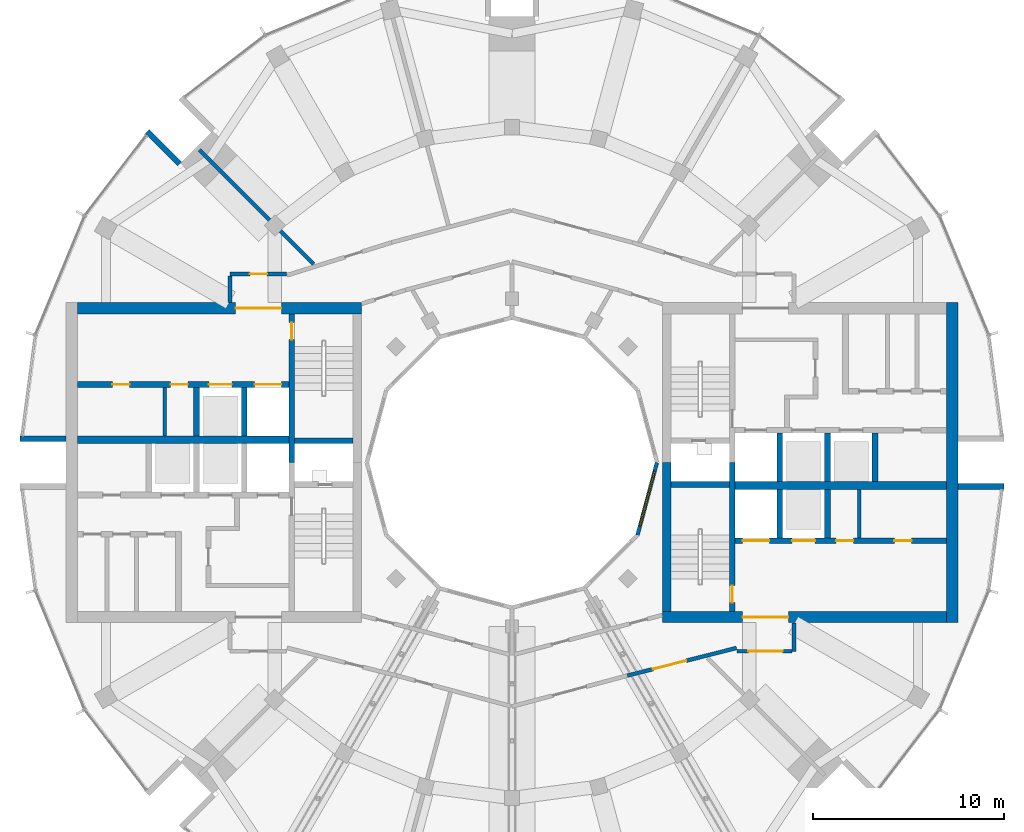
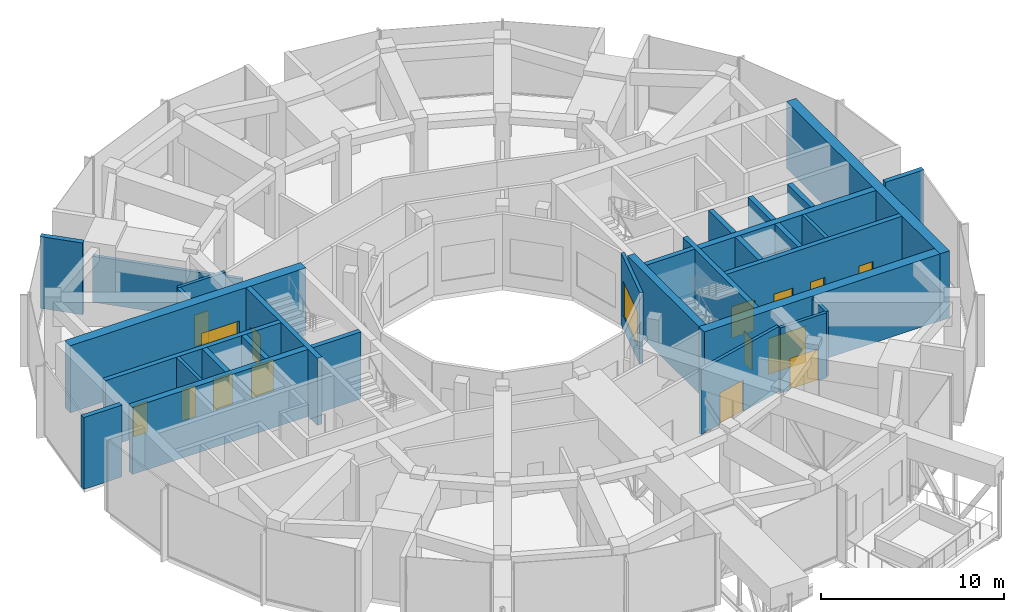
# One storey, part 12 of 17: 31 walls, 15 doors, 1 window, 16 openings.
"""IFC4 building model written with IfcOpenShell, lengths in metres."""

from ifc_helpers import new_model, si_unit, direction, frame, frame_2d, origin, place, context, subcontext, project, spatial, rectangle, extrude, material, layer, layer_set, type_object, element, fill, save


model = new_model("IFC4")

# Units and contexts
model_context = context("Model", 3, precision=1e-05, world=origin(), true_north=direction((0.0, 1.0)))
body_context = subcontext(model_context, "Body", "Model", "MODEL_VIEW")
ifc_project = project(units=[si_unit("LENGTHUNIT", "METRE"), si_unit("AREAUNIT", "SQUARE_METRE"), si_unit("VOLUMEUNIT", "CUBIC_METRE"), si_unit("PLANEANGLEUNIT", "RADIAN"), si_unit("MASSUNIT", "GRAM", prefix="KILO")], contexts=[model_context])

# Site, building, storey
site_placement = place(None, origin())
site = spatial("IfcSite", under=ifc_project, at=site_placement, CompositionType="ELEMENT")
building_placement = place(site_placement, origin())
building = spatial("IfcBuilding", under=site, at=building_placement, Name="Torre Brocal", CompositionType="ELEMENT")
storey_placement = place(building_placement, frame((0.0, 0.0, 270.89990234375)))
storey = spatial("IfcBuildingStorey", under=building, at=storey_placement, Name="L62", CompositionType="ELEMENT", Elevation=270.89990234375)

# Walls
ifc_material_1 = material(Name="Masonry block", Category="masonry")
ifc_layer_1 = layer(ifc_material_1, 0.199951171875)
ifc_layer_set_1 = layer_set([ifc_layer_1], Name="Masonry block")
wall_type_1 = type_object("IfcWallType", Name="CORE PARTITION 200", PredefinedType="PARTITIONING", material=ifc_layer_set_1)
for number, where, z_axis, x_axis, name in (
    (1, (98.22509765625, 71.050048828125, 0.0), (0.0, 0.0, 1.0), (0.0, 1.0, 0.0), "Wall CP200"),
    (2, (61.77490234375, 78.949951171875, 0.0), (0.0, 0.0, 1.0), (0.0, -1.0, 0.0), "Wall CP200"),
):
    element("IfcWall", number, at=place(storey_placement, frame(where, z_axis=z_axis, x_axis=x_axis)), inside=storey, type_object=wall_type_1, Name=name, PredefinedType="PARTITIONING", context=body_context, shape_type="SweptSolid", body=[
        extrude(rectangle(XDim=2.550048828125, YDim=0.199951171875, at=frame_2d((1.27490234375, 0.0))), origin(), (0.0, 0.0, 1.0), 4.47998046875),
    ])

# Wall, opening, door
ifc_material_2 = material(Name="Concrete C60", Category="concrete")
ifc_layer_2 = layer(ifc_material_2, 0.300048828125)
ifc_layer_set_2 = layer_set([ifc_layer_2], Name="Concrete C60")
wall_type_2 = type_object("IfcWallType", Name="CORE WALL 300 C60", PredefinedType="SHEAR", material=ifc_layer_set_2)
wall_1_placement = place(storey_placement, frame((91.550048828125, 67.199951171875, 0.0), z_axis=(0.0, 0.0, 1.0), x_axis=(0.0, 1.0, 0.0)))
wall_1 = element("IfcWall", 3, at=wall_1_placement, inside=storey, type_object=wall_type_2, Name="Wall CW300-60", PredefinedType="SHEAR", context=body_context, shape_type="SweptSolid", body=[
    extrude(rectangle(XDim=7.800048828125, YDim=0.300048828125, at=frame_2d((3.89990234375, 0.0))), origin(), (0.0, 0.0, 1.0), 4.47998046875),
])
opening_1_placement = place(wall_1_placement, frame((0.449951171875, 0.0, 0.0)))
opening_1 = element("IfcOpeningElement", 4, at=opening_1_placement, cuts=wall_1, Name="Opening E-D03", PredefinedType="OPENING", context=body_context, shape_type="SweptSolid", body=[
    extrude(rectangle(XDim=0.89990234375, YDim=2.10009765625, at=frame_2d((0.449951171875, 1.050048828125))), frame((0.0, 0.159912109375, 0.0), z_axis=(0.0, -1.0, 0.0), x_axis=(1.0, 0.0, 0.0)), (0.0, 0.0, 1.0), 0.320068359375),
])
ifc_material_3 = material(Name="Steel A653", Category="steel")
door_type_1 = type_object("IfcDoorType", Name="STAIR DOOR FD120 900X2100", OperationType="SINGLE_SWING_RIGHT", PredefinedType="DOOR", material=ifc_material_3)
door_1_placement = place(opening_1_placement, origin())
door_1 = element("IfcDoor", 5, at=door_1_placement, inside=storey, type_object=door_type_1, Name="Door E-D03", OperationType="SINGLE_SWING_LEFT", OverallHeight=2.10009765625, OverallWidth=0.89990234375, PredefinedType="DOOR", context=body_context, shape_type="SweptSolid", body=[
    extrude(rectangle(XDim=0.89990234375, YDim=2.10009765625, at=frame_2d((0.449951171875, 1.050048828125))), frame((0.0, 0.02490234375, 0.0), z_axis=(0.0, -1.0, 0.0), x_axis=(1.0, 0.0, 0.0)), (0.0, 0.0, 1.0), 0.050048828125),
])
fill(opening_1, door_1)

# Wall
wall_2_placement = place(storey_placement, frame((88.35009765625, 73.85009765625, 0.0), z_axis=(0.0, 0.0, 1.0), x_axis=(1.0, 0.0, 0.0)))
element("IfcWall", 6, at=wall_2_placement, inside=storey, type_object=wall_type_2, Name="Wall CW300-60", PredefinedType="SHEAR", context=body_context, shape_type="SweptSolid", body=[
    extrude(rectangle(XDim=3.0498046875, YDim=0.300048828125, at=frame_2d((1.52490234375, 0.0))), origin(), (0.0, 0.0, 1.0), 4.47998046875),
])

# Wall, openings, doors
wall_3_placement = place(storey_placement, frame((91.699951171875, 70.89990234375, 0.0), z_axis=(0.0, 0.0, 1.0), x_axis=(1.0, 0.0, 0.0)))
wall_3 = element("IfcWall", 7, at=wall_3_placement, inside=storey, type_object=wall_type_2, Name="Wall CW300-60", PredefinedType="SHEAR", context=body_context, shape_type="SweptSolid", body=[
    extrude(rectangle(XDim=11.10009765625, YDim=0.300048828125, at=frame_2d((5.550048828125, 0.0))), origin(), (0.0, 0.0, 1.0), 4.47998046875),
])
opening_2_placement = place(wall_3_placement, frame((0.39990234375, 0.0, 0.0)))
opening_2 = element("IfcOpeningElement", 8, at=opening_2_placement, cuts=wall_3, Name="Opening LD14", PredefinedType="OPENING", context=body_context, shape_type="SweptSolid", body=[
    extrude(rectangle(XDim=1.39990234375, YDim=2.10009765625, at=frame_2d((0.699951171875, 1.050048828125))), frame((0.0, 0.159912109375, 0.0), z_axis=(0.0, -1.0, 0.0), x_axis=(1.0, 0.0, 0.0)), (0.0, 0.0, 1.0), 0.320068359375),
])
opening_3_placement = place(wall_3_placement, frame((3.0, 0.0, 0.0)))
opening_3 = element("IfcOpeningElement", 9, at=opening_3_placement, cuts=wall_3, Name="Opening LD12", PredefinedType="OPENING", context=body_context, shape_type="SweptSolid", body=[
    extrude(rectangle(XDim=1.199951171875, YDim=2.10009765625, at=frame_2d((0.60009765625, 1.050048828125))), frame((0.0, 0.159912109375, 0.0), z_axis=(0.0, -1.0, 0.0), x_axis=(1.0, 0.0, 0.0)), (0.0, 0.0, 1.0), 0.320068359375),
])
opening_4_placement = place(wall_3_placement, frame((5.3125, 0.0, 0.0)))
opening_4 = element("IfcOpeningElement", 10, at=opening_4_placement, cuts=wall_3, Name="Opening E-D05", PredefinedType="OPENING", context=body_context, shape_type="SweptSolid", body=[
    extrude(rectangle(XDim=0.89990234375, YDim=2.10009765625, at=frame_2d((0.449951171875, 1.050048828125))), frame((0.0, 0.159912109375, 0.0), z_axis=(0.0, -1.0, 0.0), x_axis=(1.0, 0.0, 0.0)), (0.0, 0.0, 1.0), 0.320068359375),
])
opening_5_placement = place(wall_3_placement, frame((8.362548828125, 0.0, 0.0)))
opening_5 = element("IfcOpeningElement", 11, at=opening_5_placement, cuts=wall_3, Name="Opening E-D06", PredefinedType="OPENING", context=body_context, shape_type="SweptSolid", body=[
    extrude(rectangle(XDim=0.89990234375, YDim=2.10009765625, at=frame_2d((0.449951171875, 1.050048828125))), frame((0.0, 0.159912109375, 0.0), z_axis=(0.0, -1.0, 0.0), x_axis=(1.0, 0.0, 0.0)), (0.0, 0.0, 1.0), 0.320068359375),
])
ifc_material_4 = material(Name="Stainless steel AISI 316", Category="steel")
door_type_2 = type_object("IfcDoorType", Name="LIFT LANDING DOOR 1200X2100", OperationType="DOUBLE_DOOR_SLIDING", PredefinedType="DOOR", material=ifc_material_4)
door_2_placement = place(opening_3_placement, origin())
door_2 = element("IfcDoor", 12, at=door_2_placement, inside=storey, type_object=door_type_2, Name="Door LD12", OperationType="DOUBLE_DOOR_SLIDING", OverallHeight=2.10009765625, OverallWidth=1.199951171875, PredefinedType="DOOR", context=body_context, shape_type="SweptSolid", body=[
    extrude(rectangle(XDim=1.199951171875, YDim=2.10009765625, at=frame_2d((0.60009765625, 1.050048828125))), frame((0.0, 0.02490234375, 0.0), z_axis=(0.0, -1.0, 0.0), x_axis=(1.0, 0.0, 0.0)), (0.0, 0.0, 1.0), 0.050048828125),
])
fill(opening_3, door_2)
ifc_material_5 = material(Name="Stainless steel AISI 316", Category="steel")
door_type_3 = type_object("IfcDoorType", Name="LIFT LANDING DOOR 1400X2100", OperationType="DOUBLE_DOOR_SLIDING", PredefinedType="DOOR", material=ifc_material_5)
door_3_placement = place(opening_2_placement, origin())
door_3 = element("IfcDoor", 13, at=door_3_placement, inside=storey, type_object=door_type_3, Name="Door LD14", OperationType="DOUBLE_DOOR_SLIDING", OverallHeight=2.10009765625, OverallWidth=1.39990234375, PredefinedType="DOOR", context=body_context, shape_type="SweptSolid", body=[
    extrude(rectangle(XDim=1.39990234375, YDim=2.10009765625, at=frame_2d((0.699951171875, 1.050048828125))), frame((0.0, 0.02490234375, 0.0), z_axis=(0.0, -1.0, 0.0), x_axis=(1.0, 0.0, 0.0)), (0.0, 0.0, 1.0), 0.050048828125),
])
fill(opening_2, door_3)
ifc_material_6 = material(Name="Steel A653", Category="steel")
door_type_4 = type_object("IfcDoorType", Name="ROOM DOOR FD30S 900X2100", OperationType="SINGLE_SWING_LEFT", PredefinedType="DOOR", material=ifc_material_6)
door_4_placement = place(opening_4_placement, origin())
door_4 = element("IfcDoor", 14, at=door_4_placement, inside=storey, type_object=door_type_4, Name="Door E-D05", OperationType="SINGLE_SWING_RIGHT", OverallHeight=2.10009765625, OverallWidth=0.89990234375, PredefinedType="DOOR", context=body_context, shape_type="SweptSolid", body=[
    extrude(rectangle(XDim=0.89990234375, YDim=2.10009765625, at=frame_2d((0.449951171875, 1.050048828125))), frame((0.0, 0.02490234375, 0.0), z_axis=(0.0, -1.0, 0.0), x_axis=(1.0, 0.0, 0.0)), (0.0, 0.0, 1.0), 0.050048828125),
])
fill(opening_4, door_4)
door_5_placement = place(opening_5_placement, origin())
door_5 = element("IfcDoor", 15, at=door_5_placement, inside=storey, type_object=door_type_4, Name="Door E-D06", OperationType="SINGLE_SWING_RIGHT", OverallHeight=2.10009765625, OverallWidth=0.89990234375, PredefinedType="DOOR", context=body_context, shape_type="SweptSolid", body=[
    extrude(rectangle(XDim=0.89990234375, YDim=2.10009765625, at=frame_2d((0.449951171875, 1.050048828125))), frame((0.0, 0.02490234375, 0.0), z_axis=(0.0, -1.0, 0.0), x_axis=(1.0, 0.0, 0.0)), (0.0, 0.0, 1.0), 0.050048828125),
])
fill(opening_5, door_5)

# Walls
for number, where, z_axis, x_axis, name in (
    (16, (94.050048828125, 74.0, 0.0), (0.0, 0.0, 1.0), (0.0, 1.0, 0.0), "Wall CW300-60"),
    (17, (96.550048828125, 74.0, 0.0), (0.0, 0.0, 1.0), (0.0, 1.0, 0.0), "Wall CW300-60"),
    (18, (99.050048828125, 74.0, 0.0), (0.0, 0.0, 1.0), (0.0, 1.0, 0.0), "Wall CW300-60"),
    (19, (94.050048828125, 71.050048828125, 0.0), (0.0, 0.0, 1.0), (0.0, 1.0, 0.0), "Wall CW300-60"),
    (20, (96.550048828125, 71.050048828125, 0.0), (0.0, 0.0, 1.0), (0.0, 1.0, 0.0), "Wall CW300-60"),
):
    element("IfcWall", number, at=place(storey_placement, frame(where, z_axis=z_axis, x_axis=x_axis)), inside=storey, type_object=wall_type_2, Name=name, PredefinedType="SHEAR", context=body_context, shape_type="SweptSolid", body=[
        extrude(rectangle(XDim=2.550048828125, YDim=0.300048828125, at=frame_2d((1.27490234375, 0.0))), origin(), (0.0, 0.0, 1.0), 4.47998046875),
    ])

# Wall, opening, door
wall_4_placement = place(storey_placement, frame((68.449951171875, 82.800048828125, 0.0), z_axis=(0.0, 0.0, 1.0), x_axis=(0.0, -1.0, 0.0)))
wall_4 = element("IfcWall", 21, at=wall_4_placement, inside=storey, type_object=wall_type_2, Name="Wall CW300-60", PredefinedType="SHEAR", context=body_context, shape_type="SweptSolid", body=[
    extrude(rectangle(XDim=7.800048828125, YDim=0.300048828125, at=frame_2d((3.89990234375, 0.0))), origin(), (0.0, 0.0, 1.0), 4.47998046875),
])
opening_6_placement = place(wall_4_placement, frame((0.449951171875, 0.0, 0.0)))
opening_6 = element("IfcOpeningElement", 22, at=opening_6_placement, cuts=wall_4, Name="Opening W-D03", PredefinedType="OPENING", context=body_context, shape_type="SweptSolid", body=[
    extrude(rectangle(XDim=0.89990234375, YDim=2.10009765625, at=frame_2d((0.449951171875, 1.050048828125))), frame((0.0, 0.159912109375, 0.0), z_axis=(0.0, -1.0, 0.0), x_axis=(1.0, 0.0, 0.0)), (0.0, 0.0, 1.0), 0.320068359375),
])
door_6_placement = place(opening_6_placement, origin())
door_6 = element("IfcDoor", 23, at=door_6_placement, inside=storey, type_object=door_type_1, Name="Door W-D03", OperationType="SINGLE_SWING_LEFT", OverallHeight=2.10009765625, OverallWidth=0.89990234375, PredefinedType="DOOR", context=body_context, shape_type="SweptSolid", body=[
    extrude(rectangle(XDim=0.89990234375, YDim=2.10009765625, at=frame_2d((0.449951171875, 1.050048828125))), frame((0.0, 0.02490234375, 0.0), z_axis=(0.0, -1.0, 0.0), x_axis=(1.0, 0.0, 0.0)), (0.0, 0.0, 1.0), 0.050048828125),
])
fill(opening_6, door_6)

# Wall
wall_5_placement = place(storey_placement, frame((71.64990234375, 76.14990234375, 0.0), z_axis=(0.0, 0.0, 1.0), x_axis=(-1.0, 0.0, 0.0)))
element("IfcWall", 24, at=wall_5_placement, inside=storey, type_object=wall_type_2, Name="Wall CW300-60", PredefinedType="SHEAR", context=body_context, shape_type="SweptSolid", body=[
    extrude(rectangle(XDim=3.0498046875, YDim=0.300048828125, at=frame_2d((1.52490234375, 0.0))), origin(), (0.0, 0.0, 1.0), 4.47998046875),
])

# Wall, openings, doors
wall_6_placement = place(storey_placement, frame((68.300048828125, 79.10009765625, 0.0), z_axis=(0.0, 0.0, 1.0), x_axis=(-1.0, 0.0, 0.0)))
wall_6 = element("IfcWall", 25, at=wall_6_placement, inside=storey, type_object=wall_type_2, Name="Wall CW300-60", PredefinedType="SHEAR", context=body_context, shape_type="SweptSolid", body=[
    extrude(rectangle(XDim=11.10009765625, YDim=0.300048828125, at=frame_2d((5.550048828125, 0.0))), origin(), (0.0, 0.0, 1.0), 4.47998046875),
])
opening_7_placement = place(wall_6_placement, frame((0.39990234375, 0.0, 0.0)))
opening_7 = element("IfcOpeningElement", 26, at=opening_7_placement, cuts=wall_6, Name="Opening LD14", PredefinedType="OPENING", context=body_context, shape_type="SweptSolid", body=[
    extrude(rectangle(XDim=1.39990234375, YDim=2.10009765625, at=frame_2d((0.699951171875, 1.050048828125))), frame((0.0, 0.159912109375, 0.0), z_axis=(0.0, -1.0, 0.0), x_axis=(1.0, 0.0, 0.0)), (0.0, 0.0, 1.0), 0.320068359375),
])
opening_8_placement = place(wall_6_placement, frame((3.0, 0.0, 0.0)))
opening_8 = element("IfcOpeningElement", 27, at=opening_8_placement, cuts=wall_6, Name="Opening LD12", PredefinedType="OPENING", context=body_context, shape_type="SweptSolid", body=[
    extrude(rectangle(XDim=1.199951171875, YDim=2.10009765625, at=frame_2d((0.60009765625, 1.050048828125))), frame((0.0, 0.159912109375, 0.0), z_axis=(0.0, -1.0, 0.0), x_axis=(1.0, 0.0, 0.0)), (0.0, 0.0, 1.0), 0.320068359375),
])
opening_9_placement = place(wall_6_placement, frame((5.3125, 0.0, 0.0)))
opening_9 = element("IfcOpeningElement", 28, at=opening_9_placement, cuts=wall_6, Name="Opening W-D05", PredefinedType="OPENING", context=body_context, shape_type="SweptSolid", body=[
    extrude(rectangle(XDim=0.89990234375, YDim=2.10009765625, at=frame_2d((0.449951171875, 1.050048828125))), frame((0.0, 0.159912109375, 0.0), z_axis=(0.0, -1.0, 0.0), x_axis=(1.0, 0.0, 0.0)), (0.0, 0.0, 1.0), 0.320068359375),
])
opening_10_placement = place(wall_6_placement, frame((8.362548828125, 0.0, 0.0)))
opening_10 = element("IfcOpeningElement", 29, at=opening_10_placement, cuts=wall_6, Name="Opening W-D06", PredefinedType="OPENING", context=body_context, shape_type="SweptSolid", body=[
    extrude(rectangle(XDim=0.89990234375, YDim=2.10009765625, at=frame_2d((0.449951171875, 1.050048828125))), frame((0.0, 0.159912109375, 0.0), z_axis=(0.0, -1.0, 0.0), x_axis=(1.0, 0.0, 0.0)), (0.0, 0.0, 1.0), 0.320068359375),
])
door_7_placement = place(opening_8_placement, origin())
door_7 = element("IfcDoor", 30, at=door_7_placement, inside=storey, type_object=door_type_2, Name="Door LD12", OperationType="DOUBLE_DOOR_SLIDING", OverallHeight=2.10009765625, OverallWidth=1.199951171875, PredefinedType="DOOR", context=body_context, shape_type="SweptSolid", body=[
    extrude(rectangle(XDim=1.199951171875, YDim=2.10009765625, at=frame_2d((0.60009765625, 1.050048828125))), frame((0.0, 0.02490234375, 0.0), z_axis=(0.0, -1.0, 0.0), x_axis=(1.0, 0.0, 0.0)), (0.0, 0.0, 1.0), 0.050048828125),
])
fill(opening_8, door_7)
door_8_placement = place(opening_7_placement, origin())
door_8 = element("IfcDoor", 31, at=door_8_placement, inside=storey, type_object=door_type_3, Name="Door LD14", OperationType="DOUBLE_DOOR_SLIDING", OverallHeight=2.10009765625, OverallWidth=1.39990234375, PredefinedType="DOOR", context=body_context, shape_type="SweptSolid", body=[
    extrude(rectangle(XDim=1.39990234375, YDim=2.10009765625, at=frame_2d((0.699951171875, 1.050048828125))), frame((0.0, 0.02490234375, 0.0), z_axis=(0.0, -1.0, 0.0), x_axis=(1.0, 0.0, 0.0)), (0.0, 0.0, 1.0), 0.050048828125),
])
fill(opening_7, door_8)
door_9_placement = place(opening_9_placement, origin())
door_9 = element("IfcDoor", 32, at=door_9_placement, inside=storey, type_object=door_type_4, Name="Door W-D05", OperationType="SINGLE_SWING_RIGHT", OverallHeight=2.10009765625, OverallWidth=0.89990234375, PredefinedType="DOOR", context=body_context, shape_type="SweptSolid", body=[
    extrude(rectangle(XDim=0.89990234375, YDim=2.10009765625, at=frame_2d((0.449951171875, 1.050048828125))), frame((0.0, 0.02490234375, 0.0), z_axis=(0.0, -1.0, 0.0), x_axis=(1.0, 0.0, 0.0)), (0.0, 0.0, 1.0), 0.050048828125),
])
fill(opening_9, door_9)
door_10_placement = place(opening_10_placement, origin())
door_10 = element("IfcDoor", 33, at=door_10_placement, inside=storey, type_object=door_type_4, Name="Door W-D06", OperationType="SINGLE_SWING_RIGHT", OverallHeight=2.10009765625, OverallWidth=0.89990234375, PredefinedType="DOOR", context=body_context, shape_type="SweptSolid", body=[
    extrude(rectangle(XDim=0.89990234375, YDim=2.10009765625, at=frame_2d((0.449951171875, 1.050048828125))), frame((0.0, 0.02490234375, 0.0), z_axis=(0.0, -1.0, 0.0), x_axis=(1.0, 0.0, 0.0)), (0.0, 0.0, 1.0), 0.050048828125),
])
fill(opening_10, door_10)

# Walls
for number, where, z_axis, x_axis, name in (
    (34, (65.949951171875, 78.949951171875, 0.0), (0.0, 0.0, 1.0), (0.0, -1.0, 0.0), "Wall CW300-60"),
    (35, (63.449951171875, 78.949951171875, 0.0), (0.0, 0.0, 1.0), (0.0, -1.0, 0.0), "Wall CW300-60"),
):
    element("IfcWall", number, at=place(storey_placement, frame(where, z_axis=z_axis, x_axis=x_axis)), inside=storey, type_object=wall_type_2, Name=name, PredefinedType="SHEAR", context=body_context, shape_type="SweptSolid", body=[
        extrude(rectangle(XDim=2.550048828125, YDim=0.300048828125, at=frame_2d((1.27490234375, 0.0))), origin(), (0.0, 0.0, 1.0), 4.47998046875),
    ])
ifc_material_7 = material(Name="Concrete C60", Category="concrete")
ifc_layer_3 = layer(ifc_material_7, 0.39990234375)
ifc_layer_set_3 = layer_set([ifc_layer_3], Name="Concrete C60")
wall_type_3 = type_object("IfcWallType", Name="CORE WALL 400 C60", PredefinedType="SHEAR", material=ifc_layer_set_3)
for number, where, z_axis, x_axis, name in (
    (36, (91.699951171875, 73.800048828125, 0.0), (0.0, 0.0, 1.0), (1.0, 0.0, 0.0), "Wall CW400-60"),
    (37, (68.300048828125, 76.199951171875, 0.0), (0.0, 0.0, 1.0), (-1.0, 0.0, 0.0), "Wall CW400-60"),
):
    element("IfcWall", number, at=place(storey_placement, frame(where, z_axis=z_axis, x_axis=x_axis)), inside=storey, type_object=wall_type_3, Name=name, PredefinedType="SHEAR", context=body_context, shape_type="SweptSolid", body=[
        extrude(rectangle(XDim=11.10009765625, YDim=0.39990234375, at=frame_2d((5.550048828125, 0.0))), origin(), (0.0, 0.0, 1.0), 4.47998046875),
    ])
ifc_material_8 = material(Name="Concrete C60", Category="concrete")
ifc_layer_4 = layer(ifc_material_8, 0.449951171875)
ifc_layer_set_4 = layer_set([ifc_layer_4], Name="Concrete C60")
wall_type_4 = type_object("IfcWallType", Name="CORE WALL 450 C60", PredefinedType="SHEAR", material=ifc_layer_set_4)
wall_7_placement = place(storey_placement, frame((88.125, 67.199951171875, 0.0), z_axis=(0.0, 0.0, 1.0), x_axis=(0.0, 1.0, 0.0)))
element("IfcWall", 38, at=wall_7_placement, inside=storey, type_object=wall_type_4, Name="Wall CW450-60", PredefinedType="SHEAR", context=body_context, shape_type="SweptSolid", body=[
    extrude(rectangle(XDim=7.800048828125, YDim=0.449951171875, at=frame_2d((3.89990234375, 0.0))), origin(), (0.0, 0.0, 1.0), 4.47998046875),
])

# Wall, opening, door
ifc_material_9 = material(Name="Concrete C60", Category="concrete")
ifc_layer_5 = layer(ifc_material_9, 0.60009765625)
ifc_layer_set_5 = layer_set([ifc_layer_5], Name="Concrete C60")
wall_type_5 = type_object("IfcWallType", Name="CORE WALL 600 C60", PredefinedType="SHEAR", material=ifc_layer_set_5)
wall_8_placement = place(storey_placement, frame((87.89990234375, 66.89990234375, 0.0), z_axis=(0.0, 0.0, 1.0), x_axis=(1.0, 0.0, 0.0)))
wall_8 = element("IfcWall", 39, at=wall_8_placement, inside=storey, type_object=wall_type_5, Name="Wall CW600-60", PredefinedType="SHEAR", context=body_context, shape_type="SweptSolid", body=[
    extrude(rectangle(XDim=14.900146484375, YDim=0.60009765625, at=frame_2d((7.4501953125, 0.0))), origin(), (0.0, 0.0, 1.0), 4.47998046875),
])
opening_11_placement = place(wall_8_placement, frame((4.199951171875, 0.0, 0.0)))
opening_11 = element("IfcOpeningElement", 40, at=opening_11_placement, cuts=wall_8, Name="Opening E-D12", PredefinedType="OPENING", context=body_context, shape_type="SweptSolid", body=[
    extrude(rectangle(XDim=2.39990234375, YDim=2.39990234375, at=frame_2d((1.199951171875, 1.199951171875))), frame((0.0, 0.31005859375, 0.0), z_axis=(0.0, -1.0, 0.0), x_axis=(1.0, 0.0, 0.0)), (0.0, 0.0, 1.0), 0.6201171875),
])
ifc_material_10 = material(Name="Steel A653", Category="steel")
door_type_5 = type_object("IfcDoorType", Name="DOUBLE FIRE DOOR FD90 2400X2400", OperationType="DOUBLE_DOOR_SINGLE_SWING", PredefinedType="DOOR", material=ifc_material_10)
door_11_placement = place(opening_11_placement, origin())
door_11 = element("IfcDoor", 41, at=door_11_placement, inside=storey, type_object=door_type_5, Name="Door E-D12", OperationType="DOUBLE_DOOR_SINGLE_SWING", OverallHeight=2.39990234375, OverallWidth=2.39990234375, PredefinedType="DOOR", context=body_context, shape_type="SweptSolid", body=[
    extrude(rectangle(XDim=2.39990234375, YDim=2.39990234375, at=frame_2d((1.199951171875, 1.199951171875))), frame((0.0, 0.02490234375, 0.0), z_axis=(0.0, -1.0, 0.0), x_axis=(1.0, 0.0, 0.0)), (0.0, 0.0, 1.0), 0.050048828125),
])
fill(opening_11, door_11)

# Wall
wall_9_placement = place(storey_placement, frame((103.10009765625, 66.60009765625, 0.0), z_axis=(0.0, 0.0, 1.0), x_axis=(0.0, 1.0, 0.0)))
element("IfcWall", 42, at=wall_9_placement, inside=storey, type_object=wall_type_5, Name="Wall CW600-60", PredefinedType="SHEAR", context=body_context, shape_type="SweptSolid", body=[
    extrude(rectangle(XDim=16.7998046875, YDim=0.60009765625, at=frame_2d((8.39990234375, 0.0))), origin(), (0.0, 0.0, 1.0), 4.47998046875),
])

# Wall, opening, door
wall_10_placement = place(storey_placement, frame((72.10009765625, 83.10009765625, 0.0), z_axis=(0.0, 0.0, 1.0), x_axis=(-1.0, 0.0, 0.0)))
wall_10 = element("IfcWall", 43, at=wall_10_placement, inside=storey, type_object=wall_type_5, Name="Wall CW600-60", PredefinedType="SHEAR", context=body_context, shape_type="SweptSolid", body=[
    extrude(rectangle(XDim=14.900146484375, YDim=0.60009765625, at=frame_2d((7.4501953125, 0.0))), origin(), (0.0, 0.0, 1.0), 4.47998046875),
])
opening_12_placement = place(wall_10_placement, frame((4.199951171875, 0.0, 0.0)))
opening_12 = element("IfcOpeningElement", 44, at=opening_12_placement, cuts=wall_10, Name="Opening W-D12", PredefinedType="OPENING", context=body_context, shape_type="SweptSolid", body=[
    extrude(rectangle(XDim=2.39990234375, YDim=2.39990234375, at=frame_2d((1.199951171875, 1.199951171875))), frame((0.0, 0.31005859375, 0.0), z_axis=(0.0, -1.0, 0.0), x_axis=(1.0, 0.0, 0.0)), (0.0, 0.0, 1.0), 0.6201171875),
])
door_12_placement = place(opening_12_placement, origin())
door_12 = element("IfcDoor", 45, at=door_12_placement, inside=storey, type_object=door_type_5, Name="Door W-D12", OperationType="DOUBLE_DOOR_SINGLE_SWING", OverallHeight=2.39990234375, OverallWidth=2.39990234375, PredefinedType="DOOR", context=body_context, shape_type="SweptSolid", body=[
    extrude(rectangle(XDim=2.39990234375, YDim=2.39990234375, at=frame_2d((1.199951171875, 1.199951171875))), frame((0.0, 0.02490234375, 0.0), z_axis=(0.0, -1.0, 0.0), x_axis=(1.0, 0.0, 0.0)), (0.0, 0.0, 1.0), 0.050048828125),
])
fill(opening_12, door_12)

# Walls
ifc_material_11 = material(Name="Concrete C60", Category="concrete")
ifc_layer_6 = layer(ifc_material_11, 0.300048828125)
ifc_layer_set_6 = layer_set([ifc_layer_6], Name="Concrete C60")
wall_type_6 = type_object("IfcWallType", Name="NOTCH RETURN WALL 300 C60", PredefinedType="NOTDEFINED", material=ifc_layer_set_6)
for number, where, z_axis, x_axis, name in (
    (46, (103.39990234375, 73.75, 0.0), (0.0, 0.0, 1.0), (1.0, 0.0, 0.0), "NOTCH RETURN WALL"),
    (47, (62.56982421875, 90.662353515625, 0.0), (0.0, 0.0, 1.0), (-0.707106781187, 0.707106781187, 0.0), "NOTCH RETURN WALL"),
    (48, (56.60009765625, 76.25, 0.0), (0.0, 0.0, 1.0), (-1.0, 0.0, 0.0), "NOTCH RETURN WALL"),
):
    element("IfcWall", number, at=place(storey_placement, frame(where, z_axis=z_axis, x_axis=x_axis)), inside=storey, type_object=wall_type_6, Name=name, PredefinedType="NOTDEFINED", context=body_context, shape_type="SweptSolid", body=[
        extrude(rectangle(XDim=2.415771484375, YDim=0.300048828125, at=frame_2d((1.2080078125, 0.0))), origin(), (0.0, 0.0, 1.0), 4.800048828125),
    ])
ifc_material_12 = material(Name="Gypsum board", Category="Gypsum")
ifc_layer_7 = layer(ifc_material_12, 0.199951171875)
ifc_layer_set_7 = layer_set([ifc_layer_7], Name="Gypsum board")
wall_type_7 = type_object("IfcWallType", Name="PARTITION 200 EI60", PredefinedType="PARTITIONING", material=ifc_layer_set_7)
wall_11_placement = place(storey_placement, frame((65.199951171875, 83.40087890625, 0.0), z_axis=(0.0, 0.0, 1.0), x_axis=(0.0, 1.0, 0.0)))
element("IfcWall", 49, at=wall_11_placement, inside=storey, type_object=wall_type_7, Name="CORRIDOR WALL", PredefinedType="PARTITIONING", context=body_context, shape_type="SweptSolid", body=[
    extrude(rectangle(XDim=1.399169921875, YDim=0.199951171875, at=frame_2d((0.69970703125, 0.0))), origin(), (0.0, 0.0, 1.0), 4.35009765625),
])

# Wall, opening, door
wall_12_placement = place(storey_placement, frame((65.199951171875, 84.89990234375, 0.0), z_axis=(0.0, 0.0, 1.0), x_axis=(1.0, 0.0, 0.0)))
wall_12 = element("IfcWall", 50, at=wall_12_placement, inside=storey, type_object=wall_type_7, Name="CORRIDOR WALL", PredefinedType="PARTITIONING", context=body_context, shape_type="SweptSolid", body=[
    extrude(rectangle(XDim=2.969970703125, YDim=0.199951171875, at=frame_2d((1.48486328125, 0.0))), origin(), (0.0, 0.0, 1.0), 4.35009765625),
])
opening_13_placement = place(wall_12_placement, frame((1.050048828125, 0.0, 0.0)))
opening_13 = element("IfcOpeningElement", 51, at=opening_13_placement, cuts=wall_12, Name="Opening P01-D05", PredefinedType="OPENING", context=body_context, shape_type="SweptSolid", body=[
    extrude(rectangle(XDim=0.89990234375, YDim=2.10009765625, at=frame_2d((0.449951171875, 1.050048828125))), frame((0.0, 0.10986328125, 0.0), z_axis=(0.0, -1.0, 0.0), x_axis=(1.0, 0.0, 0.0)), (0.0, 0.0, 1.0), 0.219970703125),
])
ifc_material_13 = material(Name="Timber", Category="wood")
door_type_6 = type_object("IfcDoorType", Name="ROOM DOOR 900X2100", OperationType="SINGLE_SWING_LEFT", PredefinedType="DOOR", material=ifc_material_13)
door_13_placement = place(opening_13_placement, origin())
door_13 = element("IfcDoor", 52, at=door_13_placement, inside=storey, type_object=door_type_6, Name="P01-D05", OperationType="SINGLE_SWING_RIGHT", OverallHeight=2.10009765625, OverallWidth=0.89990234375, PredefinedType="DOOR", context=body_context, shape_type="SweptSolid", body=[
    extrude(rectangle(XDim=0.89990234375, YDim=2.10009765625, at=frame_2d((0.449951171875, 1.050048828125))), frame((0.0, 0.02490234375, 0.0), z_axis=(0.0, -1.0, 0.0), x_axis=(1.0, 0.0, 0.0)), (0.0, 0.0, 1.0), 0.050048828125),
])
fill(opening_13, door_13)

wall_13_placement = place(storey_placement, frame((86.052978515625, 63.825927734375, 0.0), z_axis=(0.0, 0.0, 1.0), x_axis=(0.969450593176, 0.245286663704, 0.0)))
wall_13 = element("IfcWall", 53, at=wall_13_placement, inside=storey, type_object=wall_type_7, Name="CORRIDOR WALL", PredefinedType="PARTITIONING", context=body_context, shape_type="SweptSolid", body=[
    extrude(rectangle(XDim=5.9072265625, YDim=0.199951171875, at=frame_2d((2.95361328125, 0.0))), origin(), (0.0, 0.0, 1.0), 4.35009765625),
])
opening_14_placement = place(wall_13_placement, frame((1.388916015625, 0.0, 0.0)))
opening_14 = element("IfcOpeningElement", 54, at=opening_14_placement, cuts=wall_13, Name="Opening P01-D11", PredefinedType="OPENING", context=body_context, shape_type="SweptSolid", body=[
    extrude(rectangle(XDim=1.800048828125, YDim=2.10009765625, at=frame_2d((0.89990234375, 1.050048828125))), frame((0.0, 0.10986328125, 0.0), z_axis=(0.0, -1.0, 0.0), x_axis=(1.0, 0.0, 0.0)), (0.0, 0.0, 1.0), 0.219970703125),
])
ifc_material_14 = material(Name="Timber", Category="wood")
door_type_7 = type_object("IfcDoorType", Name="DOUBLE DOOR 1800X2100", OperationType="DOUBLE_DOOR_SINGLE_SWING", PredefinedType="DOOR", material=ifc_material_14)
door_14_placement = place(opening_14_placement, frame((1.800048828125, 0.0, 0.0), z_axis=(0.0, 0.0, 1.0), x_axis=(-1.0, 0.0, 0.0)))
door_14 = element("IfcDoor", 55, at=door_14_placement, inside=storey, type_object=door_type_7, Name="P01-D11", OperationType="DOUBLE_DOOR_SINGLE_SWING", OverallHeight=2.10009765625, OverallWidth=1.800048828125, PredefinedType="DOOR", context=body_context, shape_type="SweptSolid", body=[
    extrude(rectangle(XDim=1.800048828125, YDim=2.10009765625, at=frame_2d((0.89990234375, 1.050048828125))), frame((0.0, 0.02490234375, 0.0), z_axis=(0.0, -1.0, 0.0), x_axis=(1.0, 0.0, 0.0)), (0.0, 0.0, 1.0), 0.050048828125),
])
fill(opening_14, door_14)

wall_14_placement = place(storey_placement, frame((91.800048828125, 65.10009765625, 0.0), z_axis=(0.0, 0.0, 1.0), x_axis=(1.0, 0.0, 0.0)))
wall_14 = element("IfcWall", 56, at=wall_14_placement, inside=storey, type_object=wall_type_7, Name="CORRIDOR WALL", PredefinedType="PARTITIONING", context=body_context, shape_type="SweptSolid", body=[
    extrude(rectangle(XDim=2.89990234375, YDim=0.199951171875, at=frame_2d((1.449951171875, 0.0))), origin(), (0.0, 0.0, 1.0), 4.35009765625),
])
opening_15_placement = place(wall_14_placement, frame((0.60009765625, 0.0, 0.0)))
opening_15 = element("IfcOpeningElement", 57, at=opening_15_placement, cuts=wall_14, Name="Opening P01-D10", PredefinedType="OPENING", context=body_context, shape_type="SweptSolid", body=[
    extrude(rectangle(XDim=1.800048828125, YDim=2.10009765625, at=frame_2d((0.89990234375, 1.050048828125))), frame((0.0, 0.10986328125, 0.0), z_axis=(0.0, -1.0, 0.0), x_axis=(1.0, 0.0, 0.0)), (0.0, 0.0, 1.0), 0.219970703125),
])
door_15_placement = place(opening_15_placement, frame((1.800048828125, 0.0, 0.0), z_axis=(0.0, 0.0, 1.0), x_axis=(-1.0, 0.0, 0.0)))
door_15 = element("IfcDoor", 58, at=door_15_placement, inside=storey, type_object=door_type_7, Name="P01-D10", OperationType="DOUBLE_DOOR_SINGLE_SWING", OverallHeight=2.10009765625, OverallWidth=1.800048828125, PredefinedType="DOOR", context=body_context, shape_type="SweptSolid", body=[
    extrude(rectangle(XDim=1.800048828125, YDim=2.10009765625, at=frame_2d((0.89990234375, 1.050048828125))), frame((0.0, 0.02490234375, 0.0), z_axis=(0.0, -1.0, 0.0), x_axis=(1.0, 0.0, 0.0)), (0.0, 0.0, 1.0), 0.050048828125),
])
fill(opening_15, door_15)

# Walls
wall_15_placement = place(storey_placement, frame((94.800048828125, 65.10009765625, 0.0), z_axis=(0.0, 0.0, 1.0), x_axis=(0.0, 1.0, 0.0)))
element("IfcWall", 59, at=wall_15_placement, inside=storey, type_object=wall_type_7, Name="CORRIDOR WALL", PredefinedType="PARTITIONING", context=body_context, shape_type="SweptSolid", body=[
    extrude(rectangle(XDim=1.4990234375, YDim=0.199951171875, at=frame_2d((0.74951171875, 0.0))), origin(), (0.0, 0.0, 1.0), 4.35009765625),
])
ifc_material_15 = material(Name="Gypsum board", Category="Gypsum")
ifc_layer_8 = layer(ifc_material_15, 0.199951171875)
ifc_layer_set_8 = layer_set([ifc_layer_8], Name="Gypsum board")
wall_type_8 = type_object("IfcWallType", Name="PARTITION 200 EI60 UNDER BEAM 1720", PredefinedType="PARTITIONING", material=ifc_layer_set_8)
wall_16_placement = place(storey_placement, frame((63.59716796875, 91.40576171875, 0.0), z_axis=(0.0, 0.0, 1.0), x_axis=(0.707034710536, -0.707178844492, 0.0)))
element("IfcWall", 60, at=wall_16_placement, inside=storey, type_object=wall_type_8, Name="PARTY PARTITION", PredefinedType="PARTITIONING", context=body_context, shape_type="SweptSolid", body=[
    extrude(rectangle(XDim=8.46923828125, YDim=0.199951171875, at=frame_2d((4.234619140625, 0.0))), origin(), (0.0, 0.0, 1.0), 3.080078125),
])

# Wall, opening, window
ifc_material_16 = material(Name="Concrete C40", Category="concrete")
ifc_layer_9 = layer(ifc_material_16, 0.199951171875)
ifc_layer_set_9 = layer_set([ifc_layer_9], Name="Concrete C40")
wall_type_9 = type_object("IfcWallType", Name="WELL FACADE WALL 200", PredefinedType="NOTDEFINED", material=ifc_layer_set_9)
wall_17_placement = place(storey_placement, frame((86.5849609375, 71.1982421875, 0.0), z_axis=(0.0, 0.0, 1.0), x_axis=(0.258789828301, 0.965933654434, 0.0)))
wall_17 = element("IfcWall", 61, at=wall_17_placement, inside=storey, type_object=wall_type_9, Name="WELL FACADE WALL", PredefinedType="NOTDEFINED", context=body_context, shape_type="SweptSolid", body=[
    extrude(rectangle(XDim=3.935791015625, YDim=0.199951171875, at=frame_2d((1.9677734375, 0.0))), origin(), (0.0, 0.0, 1.0), 4.800048828125),
])
opening_16_placement = place(wall_17_placement, frame((0.468017578125, 0.0, 0.89990234375)))
opening_16 = element("IfcOpeningElement", 62, at=opening_16_placement, cuts=wall_17, Name="Opening W1", PredefinedType="OPENING", context=body_context, shape_type="SweptSolid", body=[
    extrude(rectangle(XDim=3.0, YDim=2.300048828125, at=frame_2d((1.5, 1.14990234375))), frame((0.0, 0.10986328125, 0.0), z_axis=(0.0, -1.0, 0.0), x_axis=(1.0, 0.0, 0.0)), (0.0, 0.0, 1.0), 0.219970703125),
])
ifc_material_17 = material(Name="Aluminium and glass", Category="aluminium")
window_type = type_object("IfcWindowType", Name="WELL WINDOW 3000X2300", PartitioningType="SINGLE_PANEL", PredefinedType="WINDOW", material=ifc_material_17)
window_placement = place(opening_16_placement, origin())
window = element("IfcWindow", 63, at=window_placement, inside=storey, type_object=window_type, Name="WELL WINDOW 3000X2300", OverallHeight=2.300048828125, OverallWidth=3.0, PartitioningType="SINGLE_PANEL", PredefinedType="WINDOW", context=body_context, shape_type="SweptSolid", body=[
    extrude(rectangle(XDim=3.0, YDim=2.300048828125, at=frame_2d((1.5, 1.14990234375))), frame((0.0, 0.030029296875, 0.0), z_axis=(0.0, -1.0, 0.0), x_axis=(1.0, 0.0, 0.0)), (0.0, 0.0, 1.0), 0.06005859375),
])
fill(opening_16, window)

save(model, "model.ifc")
